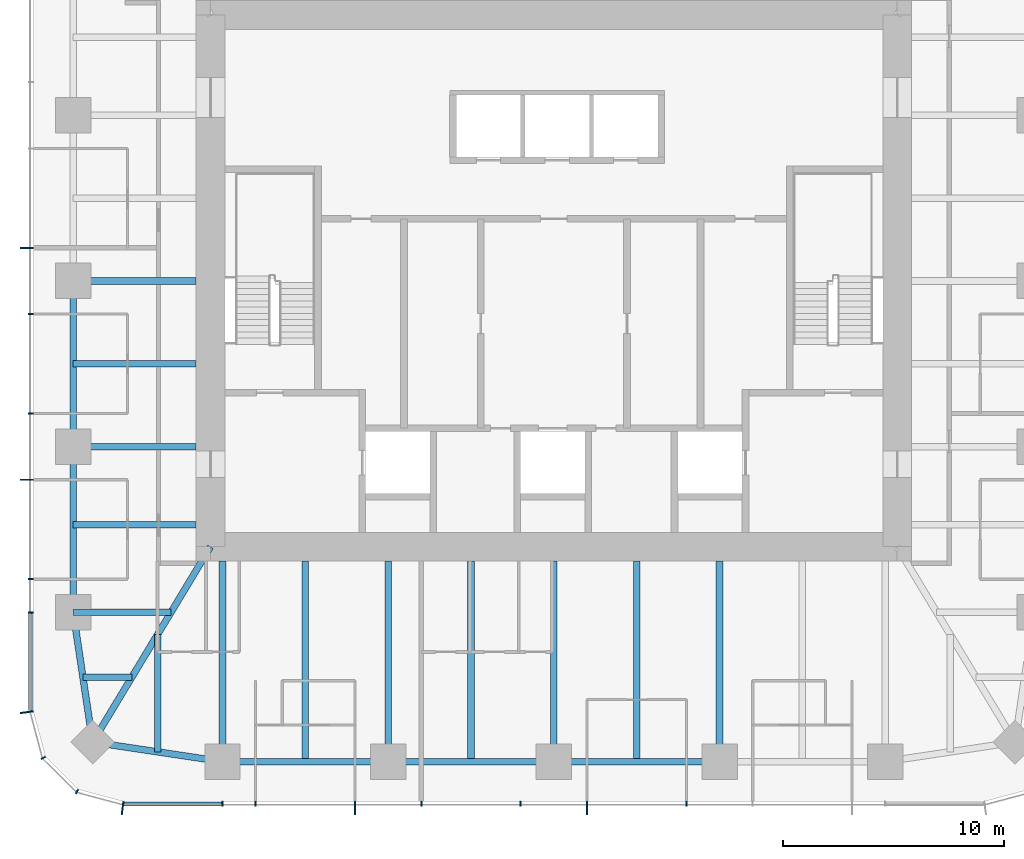
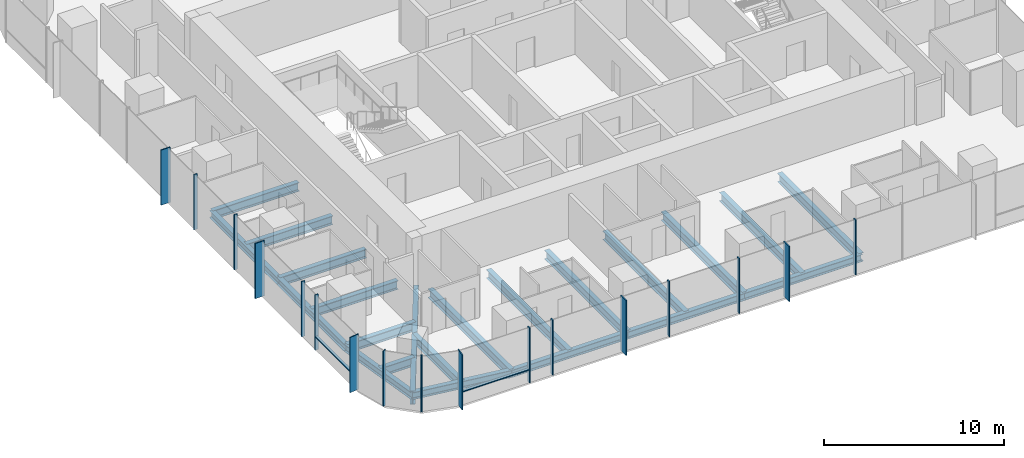
# One storey, part 2 of 12: 22 beams, 19 members, 3 elements without a shape of their own.
"""IFC4 building model written with IfcOpenShell, lengths in metres."""

from ifc_helpers import new_model, si_unit, direction, frame, origin, origin_2d, place, context, subcontext, project, spatial, rectangle, i_section, extrude, material, material_profile, profile_set, type_object, element, aggregate, save


model = new_model("IFC4")

# Units and contexts
model_context = context("Model", 3, precision=1e-05, world=origin(), true_north=direction((0.0, 1.0)))
body_context = subcontext(model_context, "Body", "Model", "MODEL_VIEW")
ifc_project = project(units=[si_unit("LENGTHUNIT", "METRE"), si_unit("AREAUNIT", "SQUARE_METRE"), si_unit("VOLUMEUNIT", "CUBIC_METRE"), si_unit("PLANEANGLEUNIT", "RADIAN"), si_unit("MASSUNIT", "GRAM", prefix="KILO")], contexts=[model_context])

# Site, building, storey
site_placement = place(None, origin())
site = spatial("IfcSite", under=ifc_project, at=site_placement, CompositionType="ELEMENT")
building_placement = place(site_placement, origin())
building = spatial("IfcBuilding", under=site, at=building_placement, Name="Khuree Lantern Residences", CompositionType="ELEMENT")
storey_placement = place(building_placement, frame((0.0, 0.0, 312.0)))
storey = spatial("IfcBuildingStorey", under=building, at=storey_placement, Name="L78", CompositionType="ELEMENT", Elevation=312.0)

# Beams
ifc_material_1 = material(Name="Steel S355", Category="steel")
ifc_material_profile_1 = material_profile(ifc_material_1, i_section(OverallWidth=0.300048828125, OverallDepth=0.590087890625, WebThickness=0.012939453125, FlangeThickness=0.02490234375, FilletRadius=0.027099609375, at=origin_2d()), Name="HE 600 A")
ifc_profile_set_1 = profile_set([ifc_material_profile_1], Name="Steel S355")
beam_type_1 = type_object("IfcBeamType", Name="B-42 SECONDARY BEAM HE 600 A", PredefinedType="BEAM", material=ifc_profile_set_1)
for number, where, z_axis, x_axis, name in (
    (1, (3.739990234375, -21.699951171875, -0.544921875), (0.0, 1.0, 0.0), (-1.0, 0.0, 0.0), "Secondary beam S3"),
    (2, (-3.739990234375, -21.699951171875, -0.544921875), (0.0, 1.0, 0.0), (-1.0, 0.0, 0.0), "Secondary beam S4"),
    (3, (-11.219970703125, -21.699951171875, -0.544921875), (0.0, 1.0, 0.0), (-1.0, 0.0, 0.0), "Secondary beam S5"),
):
    element("IfcBeam", number, at=place(storey_placement, frame(where, z_axis=z_axis, x_axis=x_axis)), inside=storey, type_object=beam_type_1, Name=name, PredefinedType="BEAM", context=body_context, shape_type="SweptSolid", body=[
        extrude(i_section(OverallWidth=0.300048828125, OverallDepth=0.590087890625, WebThickness=0.012939453125, FlangeThickness=0.02490234375, FilletRadius=0.027099609375, at=origin_2d()), origin(), (0.0, 0.0, 1.0), 9.050048828125),
    ])
beam_1_placement = place(storey_placement, frame((-17.890625, -21.2607421875, -0.544921875), z_axis=(0.0, 1.0, 0.0), x_axis=(-1.0, 0.0, 0.0)))
element("IfcBeam", 4, at=beam_1_placement, inside=storey, type_object=beam_type_1, Name="Secondary beam S6", PredefinedType="BEAM", context=body_context, shape_type="SweptSolid", body=[
    extrude(i_section(OverallWidth=0.300048828125, OverallDepth=0.590087890625, WebThickness=0.012939453125, FlangeThickness=0.02490234375, FilletRadius=0.027099609375, at=origin_2d()), origin(), (0.0, 0.0, 1.0), 5.297607421875),
])
beam_2_placement = place(storey_placement, frame((-21.2607421875, -17.890625, -0.544921875), z_axis=(1.0, 0.0, 0.0), x_axis=(0.0, 1.0, 0.0)))
element("IfcBeam", 5, at=beam_2_placement, inside=storey, type_object=beam_type_1, Name="Secondary beam W1", PredefinedType="BEAM", context=body_context, shape_type="SweptSolid", body=[
    extrude(i_section(OverallWidth=0.300048828125, OverallDepth=0.590087890625, WebThickness=0.012939453125, FlangeThickness=0.02490234375, FilletRadius=0.027099609375, at=origin_2d()), origin(), (0.0, 0.0, 1.0), 2.207275390625),
])
for number, where, z_axis, x_axis, name in (
    (6, (-21.699951171875, -11.0, -0.544921875), (1.0, 0.0, 0.0), (0.0, 1.0, 0.0), "Secondary beam W2"),
    (7, (-21.699951171875, -3.739990234375, -0.544921875), (1.0, 0.0, 0.0), (0.0, 1.0, 0.0), "Secondary beam W3"),
):
    element("IfcBeam", number, at=place(storey_placement, frame(where, z_axis=z_axis, x_axis=x_axis)), inside=storey, type_object=beam_type_1, Name=name, PredefinedType="BEAM", context=body_context, shape_type="SweptSolid", body=[
        extrude(i_section(OverallWidth=0.300048828125, OverallDepth=0.590087890625, WebThickness=0.012939453125, FlangeThickness=0.02490234375, FilletRadius=0.027099609375, at=origin_2d()), origin(), (0.0, 0.0, 1.0), 5.550048828125),
    ])
ifc_material_profile_2 = material_profile(ifc_material_1, i_section(OverallWidth=0.300048828125, OverallDepth=0.489990234375, WebThickness=0.011962890625, FlangeThickness=0.02294921875, FilletRadius=0.027099609375, at=origin_2d()), Name="HE 500 A")
ifc_profile_set_2 = profile_set([ifc_material_profile_2], Name="Steel S355")
beam_type_2 = type_object("IfcBeamType", Name="E-42 SPANDREL BEAM HE 500 A", PredefinedType="SPANDREL", material=ifc_profile_set_2)
for number, where, z_axis, x_axis, name in (
    (8, (7.47998046875, -21.699951171875, -0.4951171875), (-1.0, 0.0, 0.0), (0.0, -1.0, 0.0), "Spandrel beam S3"),
    (9, (0.0, -21.699951171875, -0.4951171875), (-1.0, 0.0, 0.0), (0.0, -1.0, 0.0), "Spandrel beam S4"),
    (10, (-7.47998046875, -21.699951171875, -0.4951171875), (-1.0, 0.0, 0.0), (0.0, -1.0, 0.0), "Spandrel beam S5"),
):
    element("IfcBeam", number, at=place(storey_placement, frame(where, z_axis=z_axis, x_axis=x_axis)), inside=storey, type_object=beam_type_2, Name=name, PredefinedType="SPANDREL", context=body_context, shape_type="SweptSolid", body=[
        extrude(i_section(OverallWidth=0.300048828125, OverallDepth=0.489990234375, WebThickness=0.011962890625, FlangeThickness=0.02294921875, FilletRadius=0.027099609375, at=origin_2d()), origin(), (0.0, 0.0, 1.0), 7.47998046875),
    ])
for number, where, z_axis, x_axis, name in (
    (11, (-14.9599609375, -21.699951171875, -0.4951171875), (-0.988949643299, 0.148251822985, 0.0), (-0.148251822985, -0.988949643299, 0.0), "Spandrel beam S6"),
    (12, (-20.8212890625, -20.8212890625, -0.4951171875), (-0.148251822985, 0.988949643299, 0.0), (-0.988949643299, -0.148251822985, 0.0), "Spandrel beam W1"),
):
    element("IfcBeam", number, at=place(storey_placement, frame(where, z_axis=z_axis, x_axis=x_axis)), inside=storey, type_object=beam_type_2, Name=name, PredefinedType="SPANDREL", context=body_context, shape_type="SweptSolid", body=[
        extrude(i_section(OverallWidth=0.300048828125, OverallDepth=0.489990234375, WebThickness=0.011962890625, FlangeThickness=0.02294921875, FilletRadius=0.027099609375, at=origin_2d()), origin(), (0.0, 0.0, 1.0), 5.9267578125),
    ])
for number, where, z_axis, x_axis, name in (
    (13, (-21.699951171875, -14.9599609375, -0.4951171875), (0.0, 1.0, 0.0), (-1.0, 0.0, 0.0), "Spandrel beam W2"),
    (14, (-21.699951171875, -7.47998046875, -0.4951171875), (0.0, 1.0, 0.0), (-1.0, 0.0, 0.0), "Spandrel beam W3"),
):
    element("IfcBeam", number, at=place(storey_placement, frame(where, z_axis=z_axis, x_axis=x_axis)), inside=storey, type_object=beam_type_2, Name=name, PredefinedType="SPANDREL", context=body_context, shape_type="SweptSolid", body=[
        extrude(i_section(OverallWidth=0.300048828125, OverallDepth=0.489990234375, WebThickness=0.011962890625, FlangeThickness=0.02294921875, FilletRadius=0.027099609375, at=origin_2d()), origin(), (0.0, 0.0, 1.0), 7.47998046875),
    ])

# Curtain wall, members
ifc_material_2 = material(Name="Bronze anodised aluminium", Category="aluminium")
curtain_wall_type_1 = type_object("IfcCurtainWallType", Name="CW-T1 TOWER FACE CURTAIN WALL", PredefinedType="USERDEFINED", material=ifc_material_2)
curtain_wall_1_placement = place(storey_placement, origin())
curtain_wall_1 = element("IfcCurtainWall", 15, at=curtain_wall_1_placement, inside=storey, type_object=curtain_wall_type_1, Name="L78 WEST FACE CURTAIN WALL", ObjectType="Stick-built curtain wall", PredefinedType="USERDEFINED")
ifc_material_profile_3 = material_profile(ifc_material_2, rectangle(XDim=0.06494140625, YDim=0.60009765625, at=origin_2d()), Name="F1 65X600")
ifc_profile_set_3 = profile_set([ifc_material_profile_3], Name="Bronze anodised aluminium")
member_type_1 = type_object("IfcMemberType", Name="F1 BRONZE FIN MULLION TOWER 65X600", PredefinedType="MULLION", material=ifc_profile_set_3)
member_1_placement = place(storey_placement, frame((-23.800048828125, 1.49609375, 0.0), z_axis=(0.0, 0.0, 1.0), x_axis=(0.0, -1.0, 0.0)))
member_1 = element("IfcMember", 16, at=member_1_placement, type_object=member_type_1, Name="L78 WEST FACE FIN MULLION 37", PredefinedType="MULLION", context=body_context, shape_type="SweptSolid", body=[
    extrude(rectangle(XDim=0.06494140625, YDim=0.60009765625, at=origin_2d()), origin(), (0.0, 0.0, 1.0), 3.75),
])
member_2_placement = place(storey_placement, frame((-23.800048828125, -8.97607421875, 0.0), z_axis=(0.0, 0.0, 1.0), x_axis=(0.0, -1.0, 0.0)))
member_2 = element("IfcMember", 17, at=member_2_placement, type_object=member_type_1, Name="L78 WEST FACE FIN MULLION 40", PredefinedType="MULLION", context=body_context, shape_type="SweptSolid", body=[
    extrude(rectangle(XDim=0.06494140625, YDim=0.60009765625, at=origin_2d()), origin(), (0.0, 0.0, 1.0), 3.75),
])

# Curtain wall, member
curtain_wall_type_2 = type_object("IfcCurtainWallType", Name="CW-T2 TOWER CORNER CURTAIN WALL", PredefinedType="USERDEFINED", material=ifc_material_2)
curtain_wall_2_placement = place(storey_placement, origin())
curtain_wall_2 = element("IfcCurtainWall", 18, at=curtain_wall_2_placement, inside=storey, type_object=curtain_wall_type_2, Name="L78 SOUTH-WEST CORNER CURTAIN WALL", ObjectType="Faceted corner curtain wall", PredefinedType="USERDEFINED")
member_3_placement = place(storey_placement, frame((-23.800048828125, -19.4697265625, 0.0), z_axis=(0.0, 0.0, 1.0), x_axis=(0.130526125236, -0.991444870192, 0.0)))
member_3 = element("IfcMember", 19, at=member_3_placement, type_object=member_type_1, Name="L78 SOUTH-WEST CORNER FIN MULLION 43", PredefinedType="MULLION", context=body_context, shape_type="SweptSolid", body=[
    extrude(rectangle(XDim=0.06494140625, YDim=0.60009765625, at=origin_2d()), origin(), (0.0, 0.0, 1.0), 3.75),
])

# Curtain wall, members
curtain_wall_3_placement = place(storey_placement, origin())
curtain_wall_3 = element("IfcCurtainWall", 20, at=curtain_wall_3_placement, inside=storey, type_object=curtain_wall_type_1, Name="L78 SOUTH FACE CURTAIN WALL", ObjectType="Stick-built curtain wall", PredefinedType="USERDEFINED")
member_4_placement = place(storey_placement, frame((-19.4697265625, -23.800048828125, 0.0), z_axis=(0.0, 0.0, 1.0), x_axis=(0.991444870192, -0.130526125236, 0.0)))
member_4 = element("IfcMember", 21, at=member_4_placement, type_object=member_type_1, Name="L78 SOUTH FACE FIN MULLION 46", PredefinedType="MULLION", context=body_context, shape_type="SweptSolid", body=[
    extrude(rectangle(XDim=0.06494140625, YDim=0.60009765625, at=origin_2d()), origin(), (0.0, 0.0, 1.0), 3.75),
])
member_5_placement = place(storey_placement, frame((-8.97607421875, -23.800048828125, 0.0), z_axis=(0.0, 0.0, 1.0), x_axis=(1.0, 0.0, 0.0)))
member_5 = element("IfcMember", 22, at=member_5_placement, type_object=member_type_1, Name="L78 SOUTH FACE FIN MULLION 49", PredefinedType="MULLION", context=body_context, shape_type="SweptSolid", body=[
    extrude(rectangle(XDim=0.06494140625, YDim=0.60009765625, at=origin_2d()), origin(), (0.0, 0.0, 1.0), 3.75),
])
member_6_placement = place(storey_placement, frame((1.49609375, -23.800048828125, 0.0), z_axis=(0.0, 0.0, 1.0), x_axis=(1.0, 0.0, 0.0)))
member_6 = element("IfcMember", 23, at=member_6_placement, type_object=member_type_1, Name="L78 SOUTH FACE FIN MULLION 52", PredefinedType="MULLION", context=body_context, shape_type="SweptSolid", body=[
    extrude(rectangle(XDim=0.06494140625, YDim=0.60009765625, at=origin_2d()), origin(), (0.0, 0.0, 1.0), 3.75),
])

# Beams
ifc_material_profile_4 = material_profile(ifc_material_1, i_section(OverallWidth=0.300048828125, OverallDepth=0.60009765625, WebThickness=0.015380859375, FlangeThickness=0.030029296875, FilletRadius=0.027099609375, at=origin_2d()), Name="HE 600 B")
ifc_profile_set_4 = profile_set([ifc_material_profile_4], Name="Steel S355")
beam_type_3 = type_object("IfcBeamType", Name="G-42 GIRDER HE 600 B", PredefinedType="BEAM", material=ifc_profile_set_4)
for number, where, z_axis, x_axis, name in (
    (24, (7.47998046875, -21.699951171875, -0.550048828125), (0.0, 1.0, 0.0), (-1.0, 0.0, 0.0), "Girder S2"),
    (25, (0.0, -21.699951171875, -0.550048828125), (0.0, 1.0, 0.0), (-1.0, 0.0, 0.0), "Girder S3"),
    (26, (-7.47998046875, -21.699951171875, -0.550048828125), (0.0, 1.0, 0.0), (-1.0, 0.0, 0.0), "Girder S4"),
    (27, (-14.9599609375, -21.699951171875, -0.550048828125), (0.0, 1.0, 0.0), (-1.0, 0.0, 0.0), "Girder S5"),
):
    element("IfcBeam", number, at=place(storey_placement, frame(where, z_axis=z_axis, x_axis=x_axis)), inside=storey, type_object=beam_type_3, Name=name, PredefinedType="BEAM", context=body_context, shape_type="SweptSolid", body=[
        extrude(i_section(OverallWidth=0.300048828125, OverallDepth=0.60009765625, WebThickness=0.015380859375, FlangeThickness=0.030029296875, FilletRadius=0.027099609375, at=origin_2d()), origin(), (0.0, 0.0, 1.0), 9.050048828125),
    ])
beam_3_placement = place(storey_placement, frame((-21.699951171875, -14.9599609375, -0.550048828125), z_axis=(1.0, 0.0, 0.0), x_axis=(0.0, 1.0, 0.0)))
element("IfcBeam", 28, at=beam_3_placement, inside=storey, type_object=beam_type_3, Name="Girder W1", PredefinedType="BEAM", context=body_context, shape_type="SweptSolid", body=[
    extrude(i_section(OverallWidth=0.300048828125, OverallDepth=0.60009765625, WebThickness=0.015380859375, FlangeThickness=0.030029296875, FilletRadius=0.027099609375, at=origin_2d()), origin(), (0.0, 0.0, 1.0), 4.414306640625),
])
for number, where, z_axis, x_axis, name in (
    (29, (-21.699951171875, -7.47998046875, -0.550048828125), (1.0, 0.0, 0.0), (0.0, 1.0, 0.0), "Girder W2"),
    (30, (-21.699951171875, 0.0, -0.550048828125), (1.0, 0.0, 0.0), (0.0, 1.0, 0.0), "Girder W3"),
):
    element("IfcBeam", number, at=place(storey_placement, frame(where, z_axis=z_axis, x_axis=x_axis)), inside=storey, type_object=beam_type_3, Name=name, PredefinedType="BEAM", context=body_context, shape_type="SweptSolid", body=[
        extrude(i_section(OverallWidth=0.300048828125, OverallDepth=0.60009765625, WebThickness=0.015380859375, FlangeThickness=0.030029296875, FilletRadius=0.027099609375, at=origin_2d()), origin(), (0.0, 0.0, 1.0), 5.550048828125),
    ])
ifc_material_profile_5 = material_profile(ifc_material_1, i_section(OverallWidth=0.300048828125, OverallDepth=0.89990234375, WebThickness=0.0185546875, FlangeThickness=0.034912109375, FilletRadius=0.030029296875, at=origin_2d()), Name="HE 900 B")
ifc_profile_set_5 = profile_set([ifc_material_profile_5], Name="Steel S355")
beam_type_4 = type_object("IfcBeamType", Name="GD-42 CORNER GIRDER HE 900 B", PredefinedType="BEAM", material=ifc_profile_set_5)
beam_4_placement = place(storey_placement, frame((-20.8212890625, -20.8212890625, -0.699951171875), z_axis=(0.516529577604, 0.856269347495, 0.0), x_axis=(-0.856269347495, 0.516529577604, 0.0)))
element("IfcBeam", 31, at=beam_4_placement, inside=storey, type_object=beam_type_4, Name="Corner girder SW", PredefinedType="BEAM", context=body_context, shape_type="SweptSolid", body=[
    extrude(i_section(OverallWidth=0.300048828125, OverallDepth=0.89990234375, WebThickness=0.0185546875, FlangeThickness=0.034912109375, FilletRadius=0.030029296875, at=origin_2d()), origin(), (0.0, 0.0, 1.0), 10.302001953125),
])

# Member
ifc_material_profile_6 = material_profile(ifc_material_2, rectangle(XDim=0.06494140625, YDim=0.219970703125, at=origin_2d()), Name="M1 65X220")
ifc_profile_set_6 = profile_set([ifc_material_profile_6], Name="Bronze anodised aluminium")
member_type_2 = type_object("IfcMemberType", Name="M1 BRONZE MULLION TOWER 65X220", PredefinedType="MULLION", material=ifc_profile_set_6)
member_7_placement = place(storey_placement, frame((-23.610107421875, -1.49609375, 0.0), z_axis=(0.0, 0.0, 1.0), x_axis=(0.0, -1.0, 0.0)))
member_7 = element("IfcMember", 32, at=member_7_placement, type_object=member_type_2, Name="L78 WEST FACE MULLION 38", PredefinedType="MULLION", context=body_context, shape_type="SweptSolid", body=[
    extrude(rectangle(XDim=0.06494140625, YDim=0.219970703125, at=origin_2d()), origin(), (0.0, 0.0, 1.0), 3.75),
])

member_8_placement = place(storey_placement, frame((-23.610107421875, -5.98388671875, 0.0), z_axis=(0.0, 0.0, 1.0), x_axis=(0.0, -1.0, 0.0)))
member_8 = element("IfcMember", 33, at=member_8_placement, type_object=member_type_2, Name="L78 WEST FACE MULLION 39", PredefinedType="MULLION", context=body_context, shape_type="SweptSolid", body=[
    extrude(rectangle(XDim=0.06494140625, YDim=0.219970703125, at=origin_2d()), origin(), (0.0, 0.0, 1.0), 3.75),
])

member_9_placement = place(storey_placement, frame((-23.610107421875, -13.464111328125, 0.0), z_axis=(0.0, 0.0, 1.0), x_axis=(0.0, -1.0, 0.0)))
member_9 = element("IfcMember", 34, at=member_9_placement, type_object=member_type_2, Name="L78 WEST FACE MULLION 41", PredefinedType="MULLION", context=body_context, shape_type="SweptSolid", body=[
    extrude(rectangle(XDim=0.06494140625, YDim=0.219970703125, at=origin_2d()), origin(), (0.0, 0.0, 1.0), 3.75),
])

member_10_placement = place(storey_placement, frame((-23.610107421875, -14.9599609375, 0.0), z_axis=(0.0, 0.0, 1.0), x_axis=(0.0, -1.0, 0.0)))
member_10 = element("IfcMember", 35, at=member_10_placement, type_object=member_type_2, Name="L78 WEST FACE MULLION 42", PredefinedType="MULLION", context=body_context, shape_type="SweptSolid", body=[
    extrude(rectangle(XDim=0.06494140625, YDim=0.219970703125, at=origin_2d()), origin(), (0.0, 0.0, 1.0), 3.75),
])

member_11_placement = place(storey_placement, frame((-23.052734375, -21.530029296875, 0.0), z_axis=(0.0, 0.0, 1.0), x_axis=(0.49999994149, -0.866025437565, 0.0)))
member_11 = element("IfcMember", 36, at=member_11_placement, type_object=member_type_2, Name="L78 SOUTH-WEST CORNER MULLION 44", PredefinedType="MULLION", context=body_context, shape_type="SweptSolid", body=[
    extrude(rectangle(XDim=0.06494140625, YDim=0.219970703125, at=origin_2d()), origin(), (0.0, 0.0, 1.0), 3.75),
])

member_12_placement = place(storey_placement, frame((-21.530029296875, -23.052734375, 0.0), z_axis=(0.0, 0.0, 1.0), x_axis=(0.866025437565, -0.49999994149, 0.0)))
member_12 = element("IfcMember", 37, at=member_12_placement, type_object=member_type_2, Name="L78 SOUTH-WEST CORNER MULLION 45", PredefinedType="MULLION", context=body_context, shape_type="SweptSolid", body=[
    extrude(rectangle(XDim=0.06494140625, YDim=0.219970703125, at=origin_2d()), origin(), (0.0, 0.0, 1.0), 3.75),
])

aggregate(curtain_wall_2, [member_3, member_11, member_12])

member_13_placement = place(storey_placement, frame((-14.9599609375, -23.610107421875, 0.0), z_axis=(0.0, 0.0, 1.0), x_axis=(1.0, 0.0, 0.0)))
member_13 = element("IfcMember", 38, at=member_13_placement, type_object=member_type_2, Name="L78 SOUTH FACE MULLION 47", PredefinedType="MULLION", context=body_context, shape_type="SweptSolid", body=[
    extrude(rectangle(XDim=0.06494140625, YDim=0.219970703125, at=origin_2d()), origin(), (0.0, 0.0, 1.0), 3.75),
])

member_14_placement = place(storey_placement, frame((-13.464111328125, -23.610107421875, 0.0), z_axis=(0.0, 0.0, 1.0), x_axis=(1.0, 0.0, 0.0)))
member_14 = element("IfcMember", 39, at=member_14_placement, type_object=member_type_2, Name="L78 SOUTH FACE MULLION 48", PredefinedType="MULLION", context=body_context, shape_type="SweptSolid", body=[
    extrude(rectangle(XDim=0.06494140625, YDim=0.219970703125, at=origin_2d()), origin(), (0.0, 0.0, 1.0), 3.75),
])

member_15_placement = place(storey_placement, frame((-5.98388671875, -23.610107421875, 0.0), z_axis=(0.0, 0.0, 1.0), x_axis=(1.0, 0.0, 0.0)))
member_15 = element("IfcMember", 40, at=member_15_placement, type_object=member_type_2, Name="L78 SOUTH FACE MULLION 50", PredefinedType="MULLION", context=body_context, shape_type="SweptSolid", body=[
    extrude(rectangle(XDim=0.06494140625, YDim=0.219970703125, at=origin_2d()), origin(), (0.0, 0.0, 1.0), 3.75),
])

member_16_placement = place(storey_placement, frame((-1.49609375, -23.610107421875, 0.0), z_axis=(0.0, 0.0, 1.0), x_axis=(1.0, 0.0, 0.0)))
member_16 = element("IfcMember", 41, at=member_16_placement, type_object=member_type_2, Name="L78 SOUTH FACE MULLION 51", PredefinedType="MULLION", context=body_context, shape_type="SweptSolid", body=[
    extrude(rectangle(XDim=0.06494140625, YDim=0.219970703125, at=origin_2d()), origin(), (0.0, 0.0, 1.0), 3.75),
])

member_17_placement = place(storey_placement, frame((5.98388671875, -23.610107421875, 0.0), z_axis=(0.0, 0.0, 1.0), x_axis=(1.0, 0.0, 0.0)))
member_17 = element("IfcMember", 42, at=member_17_placement, type_object=member_type_2, Name="L78 SOUTH FACE MULLION 53", PredefinedType="MULLION", context=body_context, shape_type="SweptSolid", body=[
    extrude(rectangle(XDim=0.06494140625, YDim=0.219970703125, at=origin_2d()), origin(), (0.0, 0.0, 1.0), 3.75),
])

ifc_material_profile_7 = material_profile(ifc_material_2, rectangle(XDim=0.179931640625, YDim=0.06494140625, at=origin_2d()), Name="T1 180X65")
ifc_profile_set_7 = profile_set([ifc_material_profile_7], Name="Bronze anodised aluminium")
member_type_3 = type_object("IfcMemberType", Name="TRANSOM T1 TOWER 180X65", PredefinedType="USERDEFINED", material=ifc_profile_set_7)
member_18_placement = place(storey_placement, frame((-23.6201171875, -14.992431640625, 0.89990234375), z_axis=(0.0, -1.0, 0.0), x_axis=(1.0, 0.0, 0.0)))
member_18 = element("IfcMember", 43, at=member_18_placement, type_object=member_type_3, Name="L78 WEST FACE TRANSOM 42.1", ObjectType="Transom", PredefinedType="USERDEFINED", context=body_context, shape_type="SweptSolid", body=[
    extrude(rectangle(XDim=0.179931640625, YDim=0.06494140625, at=origin_2d()), origin(), (0.0, 0.0, 1.0), 4.408935546875),
])

aggregate(curtain_wall_1, [member_1, member_7, member_8, member_2, member_9, member_10, member_18])

member_19_placement = place(storey_placement, frame((-19.4013671875, -23.6201171875, 0.89990234375), z_axis=(1.0, 0.0, 0.0), x_axis=(0.0, 1.0, 0.0)))
member_19 = element("IfcMember", 44, at=member_19_placement, type_object=member_type_3, Name="L78 SOUTH FACE TRANSOM 46.1", ObjectType="Transom", PredefinedType="USERDEFINED", context=body_context, shape_type="SweptSolid", body=[
    extrude(rectangle(XDim=0.179931640625, YDim=0.06494140625, at=origin_2d()), origin(), (0.0, 0.0, 1.0), 4.408935546875),
])

aggregate(curtain_wall_3, [member_4, member_13, member_14, member_5, member_15, member_16, member_6, member_17, member_19])

save(model, "model.ifc")
